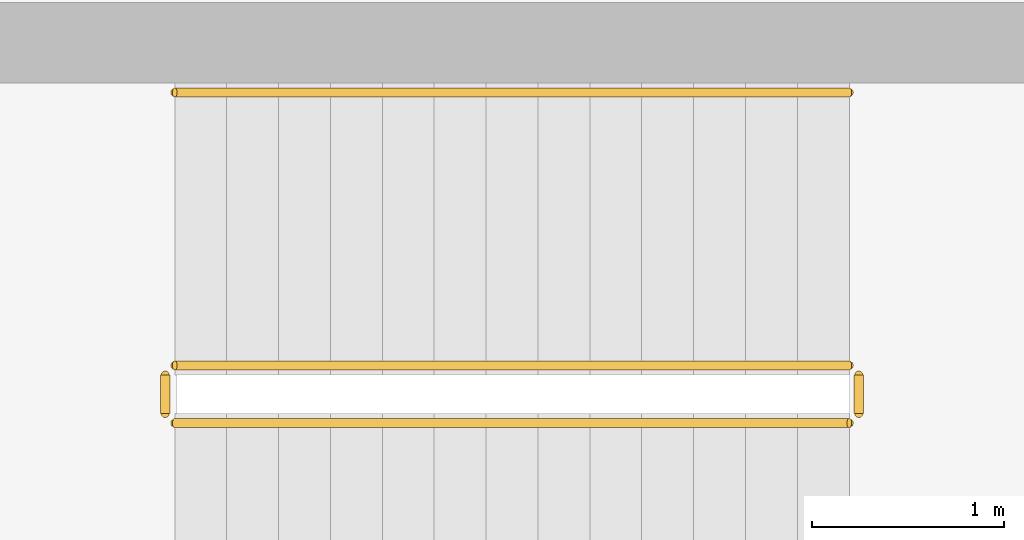
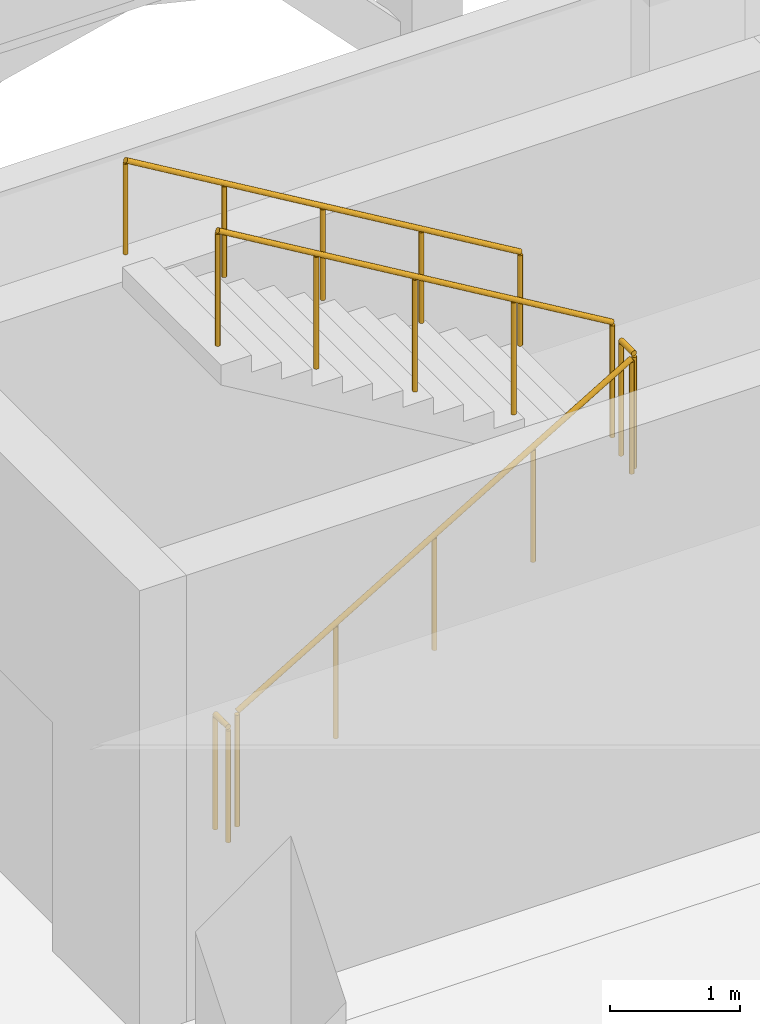
# One storey, part 125 of 129: 5 railings.
"""IFC4 building model written with IfcOpenShell, lengths in metres."""

from ifc_helpers import new_model, si_unit, direction, frame, origin, origin_2d, place, context, subcontext, project, spatial, circle, extrude, material, type_object, element, save


model = new_model("IFC4")

# Units and contexts
model_context = context("Model", 3, precision=1e-05, world=origin(), true_north=direction((0.0, 1.0)))
body_context = subcontext(model_context, "Body", "Model", "MODEL_VIEW")
ifc_project = project(units=[si_unit("LENGTHUNIT", "METRE"), si_unit("AREAUNIT", "SQUARE_METRE"), si_unit("VOLUMEUNIT", "CUBIC_METRE"), si_unit("PLANEANGLEUNIT", "RADIAN"), si_unit("MASSUNIT", "GRAM", prefix="KILO")], contexts=[model_context])

# Site, building, storey
site_placement = place(None, origin())
site = spatial("IfcSite", under=ifc_project, at=site_placement, CompositionType="ELEMENT")
building_placement = place(site_placement, origin())
building = spatial("IfcBuilding", under=site, at=building_placement, Name="Xazarin Passage Department Store", CompositionType="ELEMENT")
storey_placement = place(building_placement, frame((0.0, 0.0, 9.89990234375)))
storey = spatial("IfcBuildingStorey", under=building, at=storey_placement, Name="L02", CompositionType="ELEMENT", Elevation=9.89990234375)

# Railings
ifc_material = material(Name="Steel S355", Category="steel")
railing_type_1 = type_object("IfcRailingType", Name="ARC-RL-GRD112", PredefinedType="GUARDRAIL", material=ifc_material)
railing_1_placement = place(storey_placement, frame((112.840087890625, 105.64990234375, 0.160888671875)))
element("IfcRailing", 1, at=railing_1_placement, inside=storey, type_object=railing_type_1, Name="L02 ST10 stair guard 1", PredefinedType="GUARDRAIL", context=body_context, shape_type="SweptSolid", body=[
    extrude(circle(Radius=0.02392578125, at=origin_2d()), frame((0.0, 0.0, 1.076171875), z_axis=(0.859312273368, 0.0, 0.511451284914), x_axis=(0.0, 1.0, 0.0)), (0.0, 0.0, 1.0), 4.084716796875),
    extrude(circle(Radius=0.02099609375, at=origin_2d()), origin(), (0.0, 0.0, 1.0), 1.0517578125),
    extrude(circle(Radius=0.02099609375, at=origin_2d()), frame((0.87744140625, 0.0, 0.522216796875)), (0.0, 0.0, 1.0), 1.0517578125),
    extrude(circle(Radius=0.02099609375, at=origin_2d()), frame((1.7548828125, 0.0, 1.04443359375)), (0.0, 0.0, 1.0), 1.0517578125),
    extrude(circle(Radius=0.02099609375, at=origin_2d()), frame((2.632568359375, 0.0, 1.56689453125)), (0.0, 0.0, 1.0), 1.0517578125),
    extrude(circle(Radius=0.02099609375, at=origin_2d()), frame((3.510009765625, 0.0, 2.089111328125)), (0.0, 0.0, 1.0), 1.0517578125),
])
railing_2_placement = place(storey_placement, frame((116.39990234375, 105.699951171875, 2.25)))
element("IfcRailing", 2, at=railing_2_placement, inside=storey, type_object=railing_type_1, Name="L02 ST10 stair guard 2", PredefinedType="GUARDRAIL", context=body_context, shape_type="SweptSolid", body=[
    extrude(circle(Radius=0.02392578125, at=origin_2d()), frame((0.0, 0.0, 1.076171875), z_axis=(0.0, 1.0, 0.0), x_axis=(-1.0, 0.0, 0.0)), (0.0, 0.0, 1.0), 0.199951171875),
    extrude(circle(Radius=0.02099609375, at=origin_2d()), origin(), (0.0, 0.0, 1.0), 1.0517578125),
    extrude(circle(Radius=0.02099609375, at=origin_2d()), frame((0.0, 0.199951171875, 0.0)), (0.0, 0.0, 1.0), 1.0517578125),
])
railing_3_placement = place(storey_placement, frame((116.35009765625, 105.949951171875, 2.410888671875)))
element("IfcRailing", 3, at=railing_3_placement, inside=storey, type_object=railing_type_1, Name="L02 ST10 stair guard 3", PredefinedType="GUARDRAIL", context=body_context, shape_type="SweptSolid", body=[
    extrude(circle(Radius=0.02392578125, at=origin_2d()), frame((0.0, 0.0, 1.076171875), z_axis=(-0.859312273368, 0.0, 0.511451284914), x_axis=(0.0, -1.0, 0.0)), (0.0, 0.0, 1.0), 4.084716796875),
    extrude(circle(Radius=0.02099609375, at=origin_2d()), origin(), (0.0, 0.0, 1.0), 1.0517578125),
    extrude(circle(Radius=0.02099609375, at=origin_2d()), frame((-0.87744140625, 0.0, 0.522216796875)), (0.0, 0.0, 1.0), 1.0517578125),
    extrude(circle(Radius=0.02099609375, at=origin_2d()), frame((-1.7548828125, 0.0, 1.04443359375)), (0.0, 0.0, 1.0), 1.0517578125),
    extrude(circle(Radius=0.02099609375, at=origin_2d()), frame((-2.632568359375, 0.0, 1.56689453125)), (0.0, 0.0, 1.0), 1.0517578125),
    extrude(circle(Radius=0.02099609375, at=origin_2d()), frame((-3.510009765625, 0.0, 2.089111328125)), (0.0, 0.0, 1.0), 1.0517578125),
])
railing_4_placement = place(storey_placement, frame((112.7900390625, 105.699951171875, 0.0)))
element("IfcRailing", 4, at=railing_4_placement, inside=storey, type_object=railing_type_1, Name="L02 ST10 stair guard 4", PredefinedType="GUARDRAIL", context=body_context, shape_type="SweptSolid", body=[
    extrude(circle(Radius=0.02392578125, at=origin_2d()), frame((0.0, 0.0, 1.076171875), z_axis=(0.0, 1.0, 0.0), x_axis=(-1.0, 0.0, 0.0)), (0.0, 0.0, 1.0), 0.199951171875),
    extrude(circle(Radius=0.02099609375, at=origin_2d()), origin(), (0.0, 0.0, 1.0), 1.0517578125),
    extrude(circle(Radius=0.02099609375, at=origin_2d()), frame((0.0, 0.199951171875, 0.0)), (0.0, 0.0, 1.0), 1.0517578125),
])
railing_type_2 = type_object("IfcRailingType", Name="ARC-RL-HND090", PredefinedType="HANDRAIL", material=ifc_material)
railing_5_placement = place(storey_placement, frame((116.35009765625, 107.3701171875, 2.410888671875)))
element("IfcRailing", 5, at=railing_5_placement, inside=storey, type_object=railing_type_2, Name="L02 ST10 stair handrail 2", PredefinedType="HANDRAIL", context=body_context, shape_type="SweptSolid", body=[
    extrude(circle(Radius=0.02392578125, at=origin_2d()), frame((0.0, 0.0, 0.8759765625), z_axis=(-0.859312273368, 0.0, 0.511451284914), x_axis=(0.0, -1.0, 0.0)), (0.0, 0.0, 1.0), 4.084716796875),
    extrude(circle(Radius=0.02099609375, at=origin_2d()), origin(), (0.0, 0.0, 1.0), 0.8515625),
    extrude(circle(Radius=0.02099609375, at=origin_2d()), frame((-0.87744140625, 0.0, 0.522216796875)), (0.0, 0.0, 1.0), 0.8515625),
    extrude(circle(Radius=0.02099609375, at=origin_2d()), frame((-1.7548828125, 0.0, 1.04443359375)), (0.0, 0.0, 1.0), 0.8515625),
    extrude(circle(Radius=0.02099609375, at=origin_2d()), frame((-2.632568359375, 0.0, 1.56689453125)), (0.0, 0.0, 1.0), 0.8515625),
    extrude(circle(Radius=0.02099609375, at=origin_2d()), frame((-3.510009765625, 0.0, 2.089111328125)), (0.0, 0.0, 1.0), 0.8515625),
])

save(model, "model.ifc")
